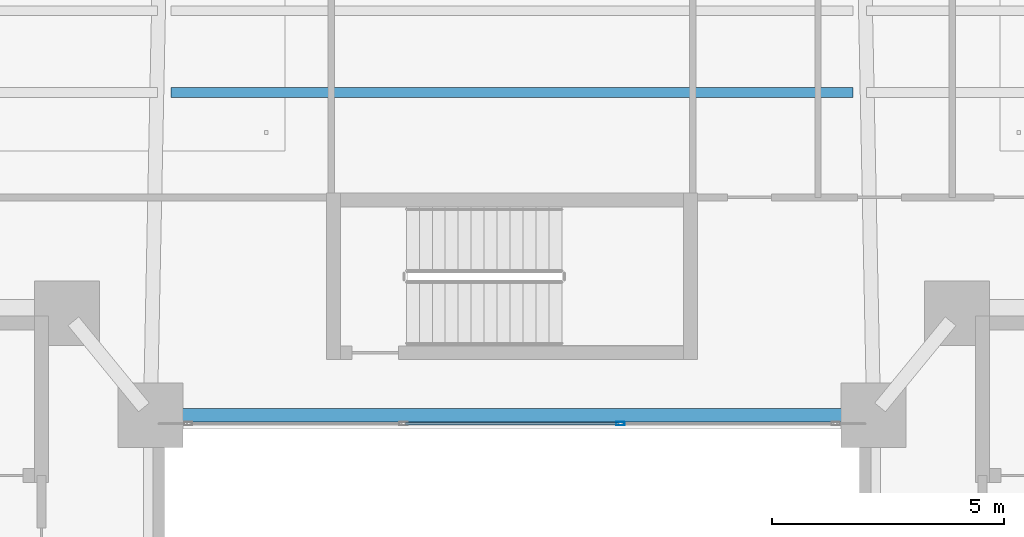
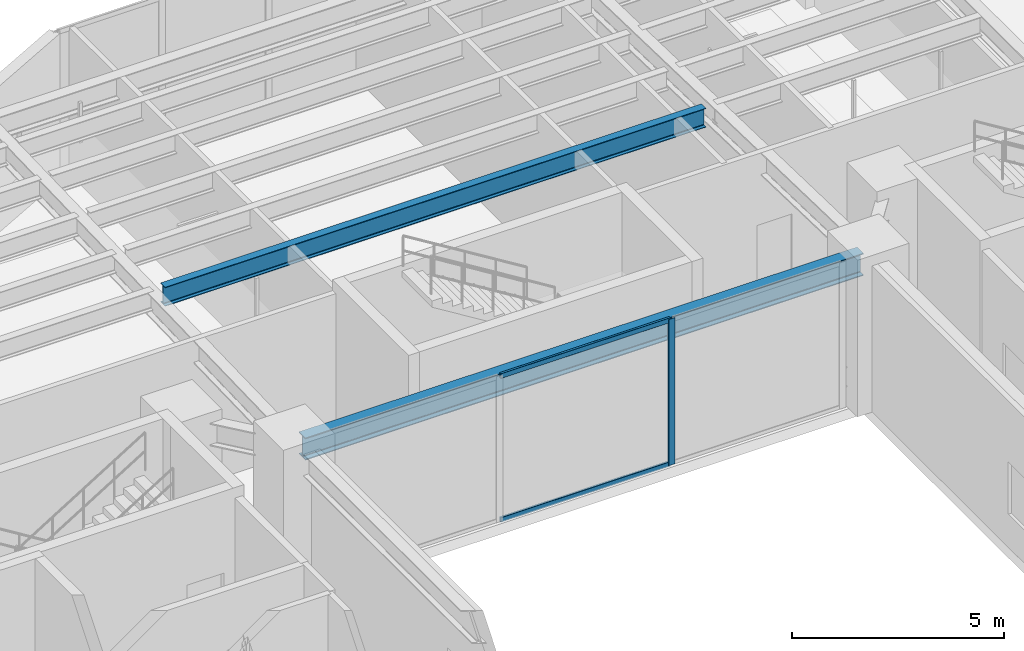
# One storey, part 21 of 39: 3 members, 2 beams, 1 element without a shape of its own.
"""IFC4 building model written with IfcOpenShell, lengths in metres."""

import ifcopenshell
import ifcopenshell.guid

model = None  # the IFC model being written
_history = None  # IfcOwnerHistory: only IFC2X3 demands one
_inside = {}  # id of a spatial element -> (the spatial element, [elements in it])
_under = {}  # id of a project, library or spatial element -> (it, [spatial elements below it])
_declared = {}  # id of a project -> (the project, [libraries it declares])
_typed = {}  # id of a type object -> (the type object, [elements of that type])
_made_of = {}  # id of a material, layer set ... -> (it, [elements and type objects made of it])


def new_model(schema):
    """Start an empty IFC model of exactly this schema.

    Asked for "IFC4X3", IfcOpenShell would pick the latest addendum, in which some entities
    have other attributes; the version numbers below select the first issue.
    IFC2X3 requires an IfcOwnerHistory on every rooted entity: one is made here for all.
    """
    global model, _history
    if schema == "IFC4X3":
        model = ifcopenshell.file(schema_version=(4, 3, 0, 0))
    else:
        model = ifcopenshell.file(schema=schema)
    _inside.clear()
    _under.clear()
    _declared.clear()
    _typed.clear()
    _made_of.clear()
    _history = None
    if model.schema == "IFC2X3":
        org = make("IfcOrganization", Name="unknown")
        user = make(
            "IfcPersonAndOrganization",
            ThePerson=make("IfcPerson", FamilyName="unknown"),
            TheOrganization=org,
        )
        app = make(
            "IfcApplication",
            ApplicationDeveloper=org,
            Version="unknown",
            ApplicationFullName="unknown",
            ApplicationIdentifier="unknown",
        )
        _history = make(
            "IfcOwnerHistory",
            OwningUser=user,
            OwningApplication=app,
            ChangeAction="ADDED",
            CreationDate=0,
        )
    return model


def make(cls, **values):
    """One entity of the class cls with the attributes given. An attribute that is None is left unset."""
    return model.create_entity(
        cls, **{name: value for name, value in values.items() if value is not None}
    )


def rooted(cls, **values):
    """An entity with a GlobalId (a new one), such as an element, a storey or a relation."""
    return make(cls, GlobalId=ifcopenshell.guid.new(), OwnerHistory=_history, **values)


def si_unit(unit_type, name, prefix=None):
    """IfcSIUnit, for example si_unit("LENGTHUNIT", "METRE", prefix="MILLI")."""
    return make("IfcSIUnit", UnitType=unit_type, Prefix=prefix, Name=name)


def assignment(units):
    """IfcUnitAssignment: the units of a project."""
    return None if units is None else make("IfcUnitAssignment", Units=units)


def point(xyz):
    """IfcCartesianPoint."""
    return None if xyz is None else make("IfcCartesianPoint", Coordinates=xyz)


def direction(xyz):
    """IfcDirection."""
    return None if xyz is None else make("IfcDirection", DirectionRatios=xyz)


def frame(location, z_axis=None, x_axis=None):
    """IfcAxis2Placement3D, a coordinate frame: its origin and axes. An axis left out is left unset."""
    return make(
        "IfcAxis2Placement3D",
        Location=point(location),
        Axis=direction(z_axis),
        RefDirection=direction(x_axis),
    )


def frame_2d(location, x_axis=None):
    """IfcAxis2Placement2D, a coordinate frame in the plane: its origin and x axis."""
    return make(
        "IfcAxis2Placement2D", Location=point(location), RefDirection=direction(x_axis)
    )


def origin():
    """The frame at (0, 0, 0) with its axes left unset."""
    return frame((0.0, 0.0, 0.0))


def origin_2d():
    """The frame at (0, 0) in the plane with its x axis left unset."""
    return frame_2d((0.0, 0.0))


def place(relative_to, where):
    """IfcLocalPlacement: puts the frame where relative to a parent placement (None: the world)."""
    return make(
        "IfcLocalPlacement", PlacementRelTo=relative_to, RelativePlacement=where
    )


def context(
    kind, dimensions, precision=None, world=None, true_north=None, identifier=None
):
    """IfcGeometricRepresentationContext, for example the 3D "Model" context."""
    return make(
        "IfcGeometricRepresentationContext",
        ContextIdentifier=identifier,
        ContextType=kind,
        CoordinateSpaceDimension=dimensions,
        Precision=precision,
        WorldCoordinateSystem=world,
        TrueNorth=true_north,
    )


def subcontext(parent, identifier, kind, view, scale=None):
    """IfcGeometricRepresentationSubContext, for example "Body" below "Model"."""
    return make(
        "IfcGeometricRepresentationSubContext",
        ContextIdentifier=identifier,
        ContextType=kind,
        ParentContext=parent,
        TargetScale=scale,
        TargetView=view,
    )


def project(units=None, contexts=None):
    """IfcProject with its units and contexts."""
    return rooted(
        "IfcProject",
        Name="project",
        RepresentationContexts=contexts,
        UnitsInContext=assignment(units),
    )


def spatial(cls, under=None, at=None, **own):
    """A site, building, storey or space (cls), placed at a placement, below another one or the project."""
    s = rooted(cls, ObjectPlacement=at, **own)
    if under is not None:
        _under.setdefault(under.id(), (under, []))[1].append(s)
    return s


def profile(cls, at=None, kind="AREA", **sizes):
    """A parametric profile (cls). Its sizes go by their IFC names, for example OverallWidth=200.0."""
    return make(cls, ProfileType=kind, Position=at, **sizes)


def hollow_rectangle(**sizes):
    """IfcRectangleHollowProfileDef."""
    return profile("IfcRectangleHollowProfileDef", **sizes)


def i_section(**sizes):
    """IfcIShapeProfileDef."""
    return profile("IfcIShapeProfileDef", **sizes)


def extrude(swept, where, along, depth):
    """IfcExtrudedAreaSolid: the profile swept, set in the frame where, extruded along a direction by depth."""
    return make(
        "IfcExtrudedAreaSolid",
        SweptArea=swept,
        Position=where,
        ExtrudedDirection=direction(along),
        Depth=depth,
    )


def shape(context_of_items, identifier, shape_type, items):
    """IfcShapeRepresentation: the items that make up one representation, for example the "Body"."""
    return make(
        "IfcShapeRepresentation",
        ContextOfItems=context_of_items,
        RepresentationIdentifier=identifier,
        RepresentationType=shape_type,
        Items=items,
    )


def material(Name=None, Category=None):
    """IfcMaterial."""
    return make("IfcMaterial", Name=Name, Category=Category)


def layer(
    of_material, thickness, ventilated=None, Name=None, Category=None, Priority=None
):
    """IfcMaterialLayer: one layer of a wall or slab, of a material (None: an air gap)."""
    return make(
        "IfcMaterialLayer",
        Material=of_material,
        LayerThickness=thickness,
        IsVentilated=ventilated,
        Name=Name,
        Category=Category,
        Priority=Priority,
    )


def layer_set(layers, Name=None):
    """IfcMaterialLayerSet."""
    return make("IfcMaterialLayerSet", MaterialLayers=layers, LayerSetName=Name)


def material_profile(
    of_material, cross_section, Name=None, Category=None, Priority=None
):
    """IfcMaterialProfile: a cross section and its material."""
    return make(
        "IfcMaterialProfile",
        Name=Name,
        Material=of_material,
        Profile=cross_section,
        Priority=Priority,
        Category=Category,
    )


def profile_set(profiles, Name=None, composite=None):
    """IfcMaterialProfileSet."""
    return make(
        "IfcMaterialProfileSet",
        Name=Name,
        MaterialProfiles=profiles,
        CompositeProfile=composite,
    )


def made_of(thing, what):
    """Note that an element or type object is made of a material, layer set ...; save() writes the relation."""
    if what is not None:
        _made_of.setdefault(what.id(), (what, []))[1].append(thing)
    return thing


def type_object(cls, material=None, **own):
    """A type object (cls), such as IfcWallType, which elements share."""
    return made_of(rooted(cls, **own), material)


def element(
    cls,
    number,
    at=None,
    inside=None,
    cuts=None,
    type_object=None,
    material=None,
    context=None,
    identifier="Body",
    shape_type=None,
    held_by="IfcProductDefinitionShape",
    body=None,
    shapes=None,
    **own,
):
    """One element of the class cls, such as IfcWall. Its Tag is "e" and its number.

    at: its placement. inside: the storey or other place that contains it. cuts: it is an
    opening in that element (IfcRelVoidsElement). A single representation is given by context,
    identifier, shape_type and body (its items); several are given by shapes. held_by: the class
    of the entity that holds the representations. save() writes the other relations.
    """
    e = rooted(cls, Tag="e%d" % number, ObjectPlacement=at, **own)
    if body is not None:
        shapes = [shape(context, identifier, shape_type, body)]
    if shapes is not None:
        e.Representation = make(held_by, Representations=shapes)
    if inside is not None:
        _inside.setdefault(inside.id(), (inside, []))[1].append(e)
    if cuts is not None:
        rooted(
            "IfcRelVoidsElement", RelatingBuildingElement=cuts, RelatedOpeningElement=e
        )
    if type_object is not None:
        _typed.setdefault(type_object.id(), (type_object, []))[1].append(e)
    return made_of(e, material)


def aggregate(whole, parts):
    """IfcRelAggregates: a whole, such as a stair, and the parts it consists of."""
    return rooted("IfcRelAggregates", RelatingObject=whole, RelatedObjects=parts)


def save(model, path):
    """Write the relations noted so far, then the file.

    IfcRelAggregates (storeys below a building ...), IfcRelContainedInSpatialStructure (elements
    in a storey), IfcRelDefinesByType, IfcRelAssociatesMaterial and IfcRelDeclares: one each for
    every whole, place, type object, material and project.
    """
    for whole, parts in _under.values():
        aggregate(whole, parts)
    for where, things in _inside.values():
        rooted(
            "IfcRelContainedInSpatialStructure",
            RelatedElements=things,
            RelatingStructure=where,
        )
    for kind, things in _typed.values():
        rooted("IfcRelDefinesByType", RelatedObjects=things, RelatingType=kind)
    for what, things in _made_of.values():
        rooted("IfcRelAssociatesMaterial", RelatedObjects=things, RelatingMaterial=what)
    for by, libraries in _declared.values():
        rooted("IfcRelDeclares", RelatingContext=by, RelatedDefinitions=libraries)
    model.write(path)


model = new_model("IFC4")

# Units and contexts
model_context = context("Model", 3, precision=1e-05, world=origin(), true_north=direction((0.0, 1.0)))
body_context = subcontext(model_context, "Body", "Model", "MODEL_VIEW")
ifc_project = project(units=[si_unit("LENGTHUNIT", "METRE"), si_unit("AREAUNIT", "SQUARE_METRE"), si_unit("VOLUMEUNIT", "CUBIC_METRE"), si_unit("PLANEANGLEUNIT", "RADIAN"), si_unit("MASSUNIT", "GRAM", prefix="KILO")], contexts=[model_context])

# Site, building, storey
site_placement = place(None, origin())
site = spatial("IfcSite", under=ifc_project, at=site_placement, CompositionType="ELEMENT")
building_placement = place(site_placement, origin())
building = spatial("IfcBuilding", under=site, at=building_placement, Name="Tarnavaz Court Tower", CompositionType="ELEMENT")
storey_placement = place(building_placement, frame((0.0, 0.0, 68.699951171875)))
storey = spatial("IfcBuildingStorey", under=building, at=storey_placement, Name="L18", CompositionType="ELEMENT", Elevation=68.699951171875)

# Beams
ifc_material_1 = material(Name="Steel S355", Category="steel")
ifc_material_profile_1 = material_profile(ifc_material_1, i_section(OverallWidth=0.2099609375, OverallDepth=0.550048828125, WebThickness=0.010986328125, FlangeThickness=0.01708984375, FilletRadius=0.02392578125, at=origin_2d()), Name="IPE 550")
ifc_profile_set_1 = profile_set([ifc_material_profile_1], Name="Steel S355")
beam_type_1 = type_object("IfcBeamType", Name="BM-J-IPE550", PredefinedType="JOIST", material=ifc_profile_set_1)
beam_1_placement = place(storey_placement, frame((-7.35009765625, 14.763916015625, 3.925048828125), z_axis=(1.0, 0.0, 0.0), x_axis=(0.0, 1.0, 0.0)))
element("IfcBeam", 1, at=beam_1_placement, inside=storey, type_object=beam_type_1, Name="L18 Beam JN1-2", PredefinedType="JOIST", context=body_context, shape_type="SweptSolid", body=[
    extrude(i_section(OverallWidth=0.2099609375, OverallDepth=0.550048828125, WebThickness=0.010986328125, FlangeThickness=0.01708984375, FilletRadius=0.02392578125, at=origin_2d()), origin(), (0.0, 0.0, 1.0), 14.7001953125),
])
ifc_material_profile_2 = material_profile(ifc_material_1, i_section(OverallWidth=0.300048828125, OverallDepth=0.639892578125, WebThickness=0.013427734375, FlangeThickness=0.02587890625, FilletRadius=0.027099609375, at=origin_2d()), Name="HEA 650")
ifc_profile_set_2 = profile_set([ifc_material_profile_2], Name="Steel S355")
beam_type_2 = type_object("IfcBeamType", Name="BM-SP-HEA650", PredefinedType="SPANDREL", material=ifc_profile_set_2)
beam_2_placement = place(storey_placement, frame((-7.580078125, 7.800048828125, 3.880126953125), z_axis=(1.0, 0.0, 0.0), x_axis=(0.0, 1.0, 0.0)))
element("IfcBeam", 2, at=beam_2_placement, inside=storey, type_object=beam_type_2, Name="L18 Beam IN-IW-NW-IW-NE", PredefinedType="SPANDREL", context=body_context, shape_type="SweptSolid", body=[
    extrude(i_section(OverallWidth=0.300048828125, OverallDepth=0.639892578125, WebThickness=0.013427734375, FlangeThickness=0.02587890625, FilletRadius=0.027099609375, at=origin_2d()), origin(), (0.0, 0.0, 1.0), 15.16015625),
])

# Curtain wall, members
ifc_material_2 = material(Name="Anodised Aluminium 6063-T6 and Solar Low-E Glazing", Category="aluminium")
ifc_layer = layer(ifc_material_2, 0.139892578125)
ifc_layer_set = layer_set([ifc_layer], Name="Anodised Aluminium 6063-T6 and Solar Low-E Glazing")
curtain_wall_type = type_object("IfcCurtainWallType", Name="CW-SYS-04", PredefinedType="NOTDEFINED", material=ifc_layer_set)
curtain_wall_placement = place(storey_placement, origin())
curtain_wall = element("IfcCurtainWall", 3, at=curtain_wall_placement, inside=storey, type_object=curtain_wall_type, Name="L18 Badgir Courtyard Curtain Wall N", PredefinedType="NOTDEFINED")
ifc_material_3 = material(Name="Anodised Aluminium 6063-T6", Category="aluminium")
ifc_material_profile_3 = material_profile(ifc_material_3, hollow_rectangle(XDim=0.074951171875, YDim=0.179931640625, WallThickness=0.0048828125, InnerFilletRadius=0.0048828125, OuterFilletRadius=0.010009765625, at=origin_2d()), Name="ALU RHS 180X75X5")
ifc_profile_set_3 = profile_set([ifc_material_profile_3], Name="Anodised Aluminium 6063-T6")
member_type_1 = type_object("IfcMemberType", Name="CW-MUL-180", PredefinedType="MULLION", material=ifc_profile_set_3)
member_1_placement = place(storey_placement, frame((2.340087890625, 7.6201171875, 0.0), z_axis=(0.0, 0.0, 1.0), x_axis=(0.0, -1.0, 0.0)))
member_1 = element("IfcMember", 4, at=member_1_placement, type_object=member_type_1, Name="CW mullion 2", PredefinedType="MULLION", context=body_context, shape_type="SweptSolid", body=[
    extrude(hollow_rectangle(XDim=0.074951171875, YDim=0.179931640625, WallThickness=0.0048828125, InnerFilletRadius=0.0048828125, OuterFilletRadius=0.010009765625, at=origin_2d()), origin(), (0.0, 0.0, 1.0), 4.199951171875),
])
ifc_material_profile_4 = material_profile(ifc_material_3, hollow_rectangle(XDim=0.06494140625, YDim=0.139892578125, WallThickness=0.00390625, InnerFilletRadius=0.00390625, OuterFilletRadius=0.008056640625, at=origin_2d()), Name="ALU RHS 140X65X4")
ifc_profile_set_4 = profile_set([ifc_material_profile_4], Name="Anodised Aluminium 6063-T6")
member_type_2 = type_object("IfcMemberType", Name="CW-TRN-140", PredefinedType="USERDEFINED", material=ifc_profile_set_4)
member_2_placement = place(storey_placement, frame((2.302490234375, 7.6201171875, 0.032470703125), z_axis=(-1.0, 0.0, 0.0), x_axis=(0.0, -1.0, 0.0)))
member_2 = element("IfcMember", 5, at=member_2_placement, type_object=member_type_2, Name="CW transom 2.1", ObjectType="TRANSOM", PredefinedType="USERDEFINED", context=body_context, shape_type="SweptSolid", body=[
    extrude(hollow_rectangle(XDim=0.06494140625, YDim=0.139892578125, WallThickness=0.00390625, InnerFilletRadius=0.00390625, OuterFilletRadius=0.008056640625, at=origin_2d()), origin(), (0.0, 0.0, 1.0), 4.60498046875),
])
member_3_placement = place(storey_placement, frame((2.302490234375, 7.6201171875, 4.16748046875), z_axis=(-1.0, 0.0, 0.0), x_axis=(0.0, -1.0, 0.0)))
member_3 = element("IfcMember", 6, at=member_3_placement, type_object=member_type_2, Name="CW transom 2.2", ObjectType="TRANSOM", PredefinedType="USERDEFINED", context=body_context, shape_type="SweptSolid", body=[
    extrude(hollow_rectangle(XDim=0.06494140625, YDim=0.139892578125, WallThickness=0.00390625, InnerFilletRadius=0.00390625, OuterFilletRadius=0.008056640625, at=origin_2d()), origin(), (0.0, 0.0, 1.0), 4.60498046875),
])
aggregate(curtain_wall, [member_1, member_2, member_3])

save(model, "model.ifc")
